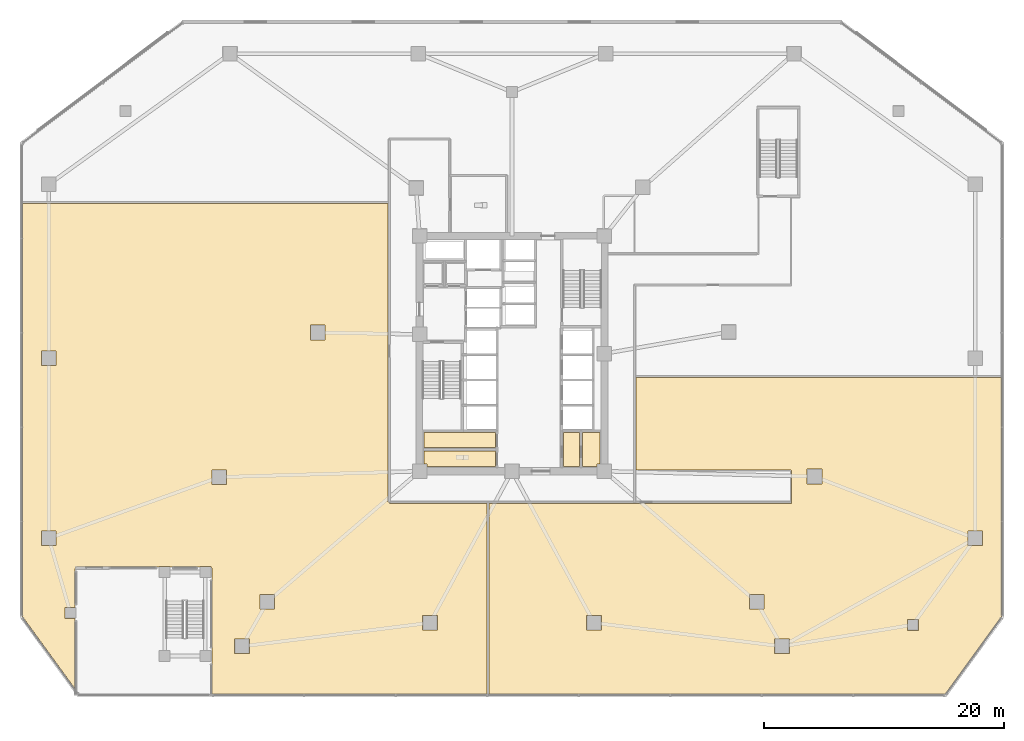
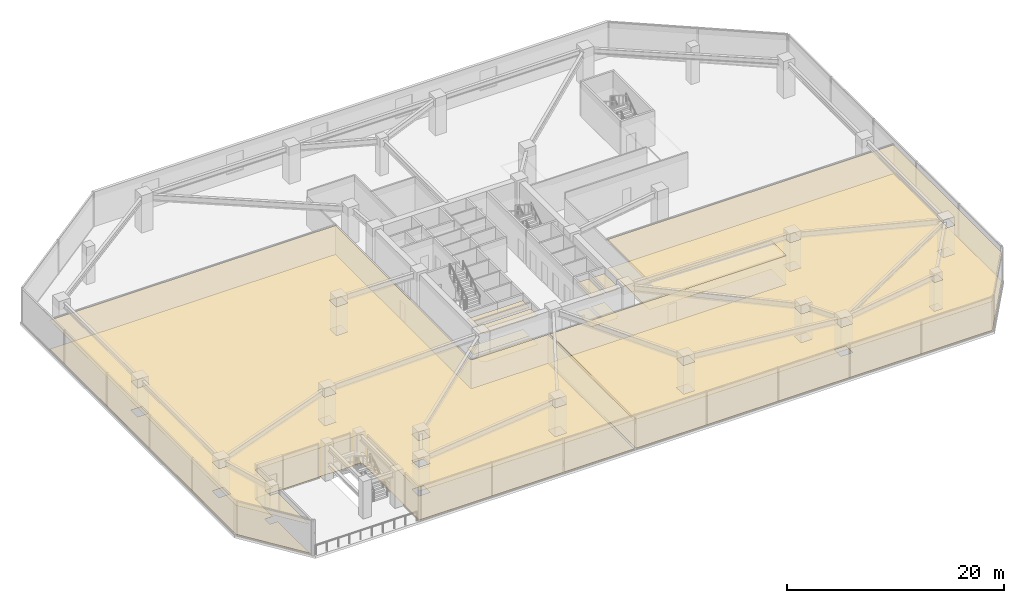
# One storey, part 15 of 21: 12 coverings.
"""IFC4 building model written with IfcOpenShell, lengths in metres."""

from ifc_helpers import new_model, si_unit, direction, frame, origin, place, context, subcontext, project, spatial, polyline, outline, extrude, material, layer, layer_set, type_object, element, save


model = new_model("IFC4")

# Units and contexts
model_context = context("Model", 3, precision=1e-05, world=origin(), true_north=direction((0.0, 1.0)))
body_context = subcontext(model_context, "Body", "Model", "MODEL_VIEW")
ifc_project = project(units=[si_unit("LENGTHUNIT", "METRE"), si_unit("AREAUNIT", "SQUARE_METRE"), si_unit("VOLUMEUNIT", "CUBIC_METRE"), si_unit("PLANEANGLEUNIT", "RADIAN"), si_unit("MASSUNIT", "GRAM", prefix="KILO")], contexts=[model_context])

# Site, building, storey
site_placement = place(None, origin())
site = spatial("IfcSite", under=ifc_project, at=site_placement, CompositionType="ELEMENT")
building_placement = place(site_placement, origin())
building = spatial("IfcBuilding", under=site, at=building_placement, Name="Savorim Split Tower", CompositionType="ELEMENT")
storey_placement = place(building_placement, frame((0.0, 0.0, 5.0)))
storey = spatial("IfcBuildingStorey", under=building, at=storey_placement, Name="L01", CompositionType="ELEMENT", Elevation=5.0)

# Coverings
ifc_material_1 = material(Name="Mineral Fibre Acoustic Ceiling")
ifc_layer_1 = layer(ifc_material_1, 0.02490234375)
ifc_layer_set_1 = layer_set([ifc_layer_1], Name="COV-CEIL-25")
covering_type_1 = type_object("IfcCoveringType", Name="COV-CEIL-25", PredefinedType="CEILING", material=ifc_layer_set_1)
covering_1_placement = place(storey_placement, frame((0.0, 0.0, 3.239990234375)))
element("IfcCovering", 1, at=covering_1_placement, inside=storey, type_object=covering_type_1, Name="L01 Cleaning Store Acoustic Ceiling", PredefinedType="CEILING", context=body_context, shape_type="SweptSolid", body=[
    extrude(outline(polyline([(-7.320068359375, -6.179931640625), (-7.320068359375, -7.43994140625), (-1.3798828125, -7.43994140625), (-1.3798828125, -6.179931640625), (-7.320068359375, -6.179931640625)])), origin(), (0.0, 0.0, 1.0), 0.02490234375),
])
covering_2_placement = place(storey_placement, frame((0.0, 0.0, 3.239990234375)))
element("IfcCovering", 2, at=covering_2_placement, inside=storey, type_object=covering_type_1, Name="L01 Public WC Acoustic Ceiling", PredefinedType="CEILING", context=body_context, shape_type="SweptSolid", body=[
    extrude(outline(polyline([(-1.3798828125, -7.719970703125), (-7.320068359375, -7.719970703125), (-7.320068359375, -8.7900390625), (-7.090087890625, -8.7900390625), (-7.090087890625, -9.02001953125), (-1.3798828125, -9.02001953125), (-1.3798828125, -7.719970703125)])), origin(), (0.0, 0.0, 1.0), 0.02490234375),
])
covering_3_placement = place(storey_placement, frame((0.0, 0.0, 3.239990234375)))
element("IfcCovering", 3, at=covering_3_placement, inside=storey, type_object=covering_type_1, Name="L01 Vending Pantry Acoustic Ceiling", PredefinedType="CEILING", context=body_context, shape_type="SweptSolid", body=[
    extrude(outline(polyline([(4.280029296875, -6.179931640625), (4.280029296875, -9.02001953125), (5.6201171875, -9.02001953125), (5.6201171875, -6.179931640625), (4.280029296875, -6.179931640625)])), origin(), (0.0, 0.0, 1.0), 0.02490234375),
])
covering_4_placement = place(storey_placement, frame((0.0, 0.0, 3.239990234375)))
element("IfcCovering", 4, at=covering_4_placement, inside=storey, type_object=covering_type_1, Name="L01 Recycling Chute Room Acoustic Ceiling", PredefinedType="CEILING", context=body_context, shape_type="SweptSolid", body=[
    extrude(outline(polyline([(5.8798828125, -6.179931640625), (5.8798828125, -9.02001953125), (7.090087890625, -9.02001953125), (7.090087890625, -8.7900390625), (7.320068359375, -8.7900390625), (7.320068359375, -6.179931640625), (5.8798828125, -6.179931640625)])), origin(), (0.0, 0.0, 1.0), 0.02490234375),
])
covering_5_placement = place(storey_placement, frame((0.0, 0.0, 3.239990234375)))
element("IfcCovering", 5, at=covering_5_placement, inside=storey, type_object=covering_type_1, Name="L01 Co-Working Commons Acoustic Ceiling", PredefinedType="CEILING", context=body_context, shape_type="SweptSolid", body=[
    extrude(outline(polyline([(-10.31494140625, 12.905029296875), (-40.780029296875, 12.905029296875), (-40.780029296875, -21.528564453125), (-36.419921875, -27.5234375), (-36.419921875, -21.659912109375), (-37.260009765625, -21.659912109375), (-37.260009765625, -20.739990234375), (-36.419921875, -20.739990234375), (-36.419921875, -17.60009765625), (-36.4189453125, -17.578369140625), (-36.415771484375, -17.55712890625), (-36.410400390625, -17.5361328125), (-36.4033203125, -17.515869140625), (-36.39404296875, -17.496337890625), (-36.3828125, -17.477783203125), (-36.3701171875, -17.46044921875), (-36.355712890625, -17.4443359375), (-36.339599609375, -17.429931640625), (-36.322265625, -17.4169921875), (-36.3037109375, -17.406005859375), (-36.2841796875, -17.396728515625), (-36.263916015625, -17.389404296875), (-36.242919921875, -17.38427734375), (-36.2216796875, -17.381103515625), (-36.199951171875, -17.3798828125), (-29.409912109375, -17.3798828125), (-29.409912109375, -17.340087890625), (-28.489990234375, -17.340087890625), (-28.489990234375, -17.3798828125), (-26.010009765625, -17.3798828125), (-26.010009765625, -17.340087890625), (-25.090087890625, -17.340087890625), (-25.090087890625, -17.40966796875), (-25.077880859375, -17.4169921875), (-25.060302734375, -17.429931640625), (-25.04443359375, -17.4443359375), (-25.02978515625, -17.46044921875), (-25.01708984375, -17.477783203125), (-25.006103515625, -17.496337890625), (-24.99658203125, -17.515869140625), (-24.989501953125, -17.5361328125), (-24.984130859375, -17.55712890625), (-24.981201171875, -17.578369140625), (-24.97998046875, -17.60009765625), (-24.97998046875, -27.97998046875), (-2.094970703125, -27.97998046875), (-2.094970703125, -12.074951171875), (-10.219970703125, -12.074951171875), (-10.219970703125, -11.97998046875), (-10.31494140625, -11.97998046875), (-10.31494140625, 12.905029296875)]), holes=[polyline([(-37.989990234375, 0.610107421875), (-39.2099609375, 0.610107421875), (-39.2099609375, -0.610107421875), (-37.989990234375, -0.610107421875), (-37.989990234375, 0.610107421875)]), polyline([(-39.2099609375, -14.389892578125), (-39.2099609375, -15.610107421875), (-37.989990234375, -15.610107421875), (-37.989990234375, -14.389892578125), (-39.2099609375, -14.389892578125)]), polyline([(-23.110107421875, -24.610107421875), (-21.889892578125, -24.610107421875), (-21.889892578125, -23.389892578125), (-23.110107421875, -23.389892578125), (-23.110107421875, -24.610107421875)]), polyline([(-19.774169921875, -20.90185546875), (-19.774169921875, -19.681884765625), (-20.994140625, -19.681884765625), (-20.994140625, -20.90185546875), (-19.774169921875, -20.90185546875)]), polyline([(-6.2216796875, -21.421875), (-7.44189453125, -21.421875), (-7.44189453125, -22.641845703125), (-6.2216796875, -22.641845703125), (-6.2216796875, -21.421875)]), polyline([(-15.57861328125, 1.543701171875), (-15.57861328125, 2.763671875), (-16.798583984375, 2.763671875), (-16.798583984375, 1.543701171875), (-15.57861328125, 1.543701171875)]), polyline([(-23.7744140625, -9.2841796875), (-24.994384765625, -9.2841796875), (-24.994384765625, -10.50439453125), (-23.7744140625, -10.50439453125), (-23.7744140625, -9.2841796875)])]), origin(), (0.0, 0.0, 1.0), 0.02490234375),
])
covering_6_placement = place(storey_placement, frame((0.0, 0.0, 3.239990234375)))
element("IfcCovering", 6, at=covering_6_placement, inside=storey, type_object=covering_type_1, Name="L01 Maker Workshop Acoustic Ceiling", PredefinedType="CEILING", context=body_context, shape_type="SweptSolid", body=[
    extrude(outline(polyline([(-1.905029296875, -27.97998046875), (36.087890625, -27.97998046875), (40.780029296875, -21.528564453125), (40.780029296875, -1.594970703125), (10.31494140625, -1.594970703125), (10.31494140625, -9.300048828125), (23.199951171875, -9.300048828125), (23.209716796875, -9.300537109375), (23.219482421875, -9.302001953125), (23.22900390625, -9.30419921875), (23.23828125, -9.3076171875), (23.2470703125, -9.311767578125), (23.255615234375, -9.31689453125), (23.263427734375, -9.32275390625), (23.270751953125, -9.329345703125), (23.27734375, -9.336669921875), (23.283203125, -9.344482421875), (23.2880859375, -9.352783203125), (23.29248046875, -9.36181640625), (23.295654296875, -9.37109375), (23.298095703125, -9.380615234375), (23.299560546875, -9.39013671875), (23.300048828125, -9.39990234375), (23.300048828125, -11.89990234375), (23.299560546875, -11.909912109375), (23.298095703125, -11.91943359375), (23.295654296875, -11.928955078125), (23.29248046875, -11.938232421875), (23.2880859375, -11.947021484375), (23.283203125, -11.95556640625), (23.280029296875, -11.959716796875), (23.280029296875, -12.074951171875), (-1.905029296875, -12.074951171875), (-1.905029296875, -27.97998046875)]), holes=[polyline([(37.989990234375, -14.389892578125), (37.989990234375, -15.610107421875), (39.2099609375, -15.610107421875), (39.2099609375, -14.389892578125), (37.989990234375, -14.389892578125)]), polyline([(21.889892578125, -24.610107421875), (23.110107421875, -24.610107421875), (23.110107421875, -23.389892578125), (21.889892578125, -23.389892578125), (21.889892578125, -24.610107421875)]), polyline([(6.2216796875, -21.421875), (6.2216796875, -22.641845703125), (7.44189453125, -22.641845703125), (7.44189453125, -21.421875), (6.2216796875, -21.421875)]), polyline([(19.774169921875, -20.90185546875), (20.994140625, -20.90185546875), (20.994140625, -19.681884765625), (19.774169921875, -19.681884765625), (19.774169921875, -20.90185546875)]), polyline([(25.823486328125, -10.45556640625), (25.823486328125, -9.235595703125), (24.603515625, -9.235595703125), (24.603515625, -10.45556640625), (25.823486328125, -10.45556640625)]), polyline([(32.93994140625, -21.739990234375), (32.93994140625, -22.659912109375), (33.860107421875, -22.659912109375), (33.860107421875, -21.739990234375), (32.93994140625, -21.739990234375)])]), origin(), (0.0, 0.0, 1.0), 0.02490234375),
])
ifc_material_2 = material(Name="Porcelain Stoneware Flooring", Category="masonry")
ifc_layer_2 = layer(ifc_material_2, 0.02001953125)
ifc_layer_set_2 = layer_set([ifc_layer_2], Name="COV-FLOR-20")
covering_type_2 = type_object("IfcCoveringType", Name="COV-FLOR-20", PredefinedType="FLOORING", material=ifc_layer_set_2)
covering_7_placement = place(storey_placement, origin())
element("IfcCovering", 7, at=covering_7_placement, inside=storey, type_object=covering_type_2, Name="L01 Cleaning Store Porcelain Flooring", PredefinedType="FLOORING", context=body_context, shape_type="SweptSolid", body=[
    extrude(outline(polyline([(-7.320068359375, -6.179931640625), (-7.320068359375, -7.43994140625), (-1.3798828125, -7.43994140625), (-1.3798828125, -6.179931640625), (-7.320068359375, -6.179931640625)])), origin(), (0.0, 0.0, 1.0), 0.02001953125),
])
covering_8_placement = place(storey_placement, origin())
element("IfcCovering", 8, at=covering_8_placement, inside=storey, type_object=covering_type_2, Name="L01 Public WC Porcelain Flooring", PredefinedType="FLOORING", context=body_context, shape_type="SweptSolid", body=[
    extrude(outline(polyline([(-1.3798828125, -7.719970703125), (-7.320068359375, -7.719970703125), (-7.320068359375, -8.7900390625), (-7.090087890625, -8.7900390625), (-7.090087890625, -9.02001953125), (-1.3798828125, -9.02001953125), (-1.3798828125, -7.719970703125)])), origin(), (0.0, 0.0, 1.0), 0.02001953125),
])
covering_9_placement = place(storey_placement, origin())
element("IfcCovering", 9, at=covering_9_placement, inside=storey, type_object=covering_type_2, Name="L01 Vending Pantry Porcelain Flooring", PredefinedType="FLOORING", context=body_context, shape_type="SweptSolid", body=[
    extrude(outline(polyline([(4.280029296875, -6.179931640625), (4.280029296875, -9.02001953125), (5.6201171875, -9.02001953125), (5.6201171875, -6.179931640625), (4.280029296875, -6.179931640625)])), origin(), (0.0, 0.0, 1.0), 0.02001953125),
])
covering_10_placement = place(storey_placement, origin())
element("IfcCovering", 10, at=covering_10_placement, inside=storey, type_object=covering_type_2, Name="L01 Recycling Chute Room Porcelain Flooring", PredefinedType="FLOORING", context=body_context, shape_type="SweptSolid", body=[
    extrude(outline(polyline([(5.8798828125, -6.179931640625), (5.8798828125, -9.02001953125), (7.090087890625, -9.02001953125), (7.090087890625, -8.7900390625), (7.320068359375, -8.7900390625), (7.320068359375, -6.179931640625), (5.8798828125, -6.179931640625)])), origin(), (0.0, 0.0, 1.0), 0.02001953125),
])
covering_11_placement = place(storey_placement, origin())
element("IfcCovering", 11, at=covering_11_placement, inside=storey, type_object=covering_type_2, Name="L01 Co-Working Commons Porcelain Flooring", PredefinedType="FLOORING", context=body_context, shape_type="SweptSolid", body=[
    extrude(outline(polyline([(-10.31494140625, 12.905029296875), (-40.780029296875, 12.905029296875), (-40.780029296875, -21.528564453125), (-36.419921875, -27.5234375), (-36.419921875, -21.659912109375), (-37.260009765625, -21.659912109375), (-37.260009765625, -20.739990234375), (-36.419921875, -20.739990234375), (-36.419921875, -17.60009765625), (-36.4189453125, -17.578369140625), (-36.415771484375, -17.55712890625), (-36.410400390625, -17.5361328125), (-36.4033203125, -17.515869140625), (-36.39404296875, -17.496337890625), (-36.3828125, -17.477783203125), (-36.3701171875, -17.46044921875), (-36.355712890625, -17.4443359375), (-36.339599609375, -17.429931640625), (-36.322265625, -17.4169921875), (-36.3037109375, -17.406005859375), (-36.2841796875, -17.396728515625), (-36.263916015625, -17.389404296875), (-36.242919921875, -17.38427734375), (-36.2216796875, -17.381103515625), (-36.199951171875, -17.3798828125), (-29.409912109375, -17.3798828125), (-29.409912109375, -17.340087890625), (-28.489990234375, -17.340087890625), (-28.489990234375, -17.3798828125), (-26.010009765625, -17.3798828125), (-26.010009765625, -17.340087890625), (-25.090087890625, -17.340087890625), (-25.090087890625, -17.40966796875), (-25.077880859375, -17.4169921875), (-25.060302734375, -17.429931640625), (-25.04443359375, -17.4443359375), (-25.02978515625, -17.46044921875), (-25.01708984375, -17.477783203125), (-25.006103515625, -17.496337890625), (-24.99658203125, -17.515869140625), (-24.989501953125, -17.5361328125), (-24.984130859375, -17.55712890625), (-24.981201171875, -17.578369140625), (-24.97998046875, -17.60009765625), (-24.97998046875, -27.97998046875), (-2.094970703125, -27.97998046875), (-2.094970703125, -12.074951171875), (-10.219970703125, -12.074951171875), (-10.219970703125, -11.97998046875), (-10.31494140625, -11.97998046875), (-10.31494140625, 12.905029296875)]), holes=[polyline([(-37.989990234375, 0.610107421875), (-39.2099609375, 0.610107421875), (-39.2099609375, -0.610107421875), (-37.989990234375, -0.610107421875), (-37.989990234375, 0.610107421875)]), polyline([(-39.2099609375, -14.389892578125), (-39.2099609375, -15.610107421875), (-37.989990234375, -15.610107421875), (-37.989990234375, -14.389892578125), (-39.2099609375, -14.389892578125)]), polyline([(-23.110107421875, -24.610107421875), (-21.889892578125, -24.610107421875), (-21.889892578125, -23.389892578125), (-23.110107421875, -23.389892578125), (-23.110107421875, -24.610107421875)]), polyline([(-19.774169921875, -20.90185546875), (-19.774169921875, -19.681884765625), (-20.994140625, -19.681884765625), (-20.994140625, -20.90185546875), (-19.774169921875, -20.90185546875)]), polyline([(-6.2216796875, -21.421875), (-7.44189453125, -21.421875), (-7.44189453125, -22.641845703125), (-6.2216796875, -22.641845703125), (-6.2216796875, -21.421875)]), polyline([(-15.57861328125, 1.543701171875), (-15.57861328125, 2.763671875), (-16.798583984375, 2.763671875), (-16.798583984375, 1.543701171875), (-15.57861328125, 1.543701171875)]), polyline([(-23.7744140625, -9.2841796875), (-24.994384765625, -9.2841796875), (-24.994384765625, -10.50439453125), (-23.7744140625, -10.50439453125), (-23.7744140625, -9.2841796875)])]), origin(), (0.0, 0.0, 1.0), 0.02001953125),
])
covering_12_placement = place(storey_placement, origin())
element("IfcCovering", 12, at=covering_12_placement, inside=storey, type_object=covering_type_2, Name="L01 Maker Workshop Porcelain Flooring", PredefinedType="FLOORING", context=body_context, shape_type="SweptSolid", body=[
    extrude(outline(polyline([(-1.905029296875, -27.97998046875), (36.087890625, -27.97998046875), (40.780029296875, -21.528564453125), (40.780029296875, -1.594970703125), (10.31494140625, -1.594970703125), (10.31494140625, -9.300048828125), (23.199951171875, -9.300048828125), (23.209716796875, -9.300537109375), (23.219482421875, -9.302001953125), (23.22900390625, -9.30419921875), (23.23828125, -9.3076171875), (23.2470703125, -9.311767578125), (23.255615234375, -9.31689453125), (23.263427734375, -9.32275390625), (23.270751953125, -9.329345703125), (23.27734375, -9.336669921875), (23.283203125, -9.344482421875), (23.2880859375, -9.352783203125), (23.29248046875, -9.36181640625), (23.295654296875, -9.37109375), (23.298095703125, -9.380615234375), (23.299560546875, -9.39013671875), (23.300048828125, -9.39990234375), (23.300048828125, -11.89990234375), (23.299560546875, -11.909912109375), (23.298095703125, -11.91943359375), (23.295654296875, -11.928955078125), (23.29248046875, -11.938232421875), (23.2880859375, -11.947021484375), (23.283203125, -11.95556640625), (23.280029296875, -11.959716796875), (23.280029296875, -12.074951171875), (-1.905029296875, -12.074951171875), (-1.905029296875, -27.97998046875)]), holes=[polyline([(37.989990234375, -14.389892578125), (37.989990234375, -15.610107421875), (39.2099609375, -15.610107421875), (39.2099609375, -14.389892578125), (37.989990234375, -14.389892578125)]), polyline([(21.889892578125, -24.610107421875), (23.110107421875, -24.610107421875), (23.110107421875, -23.389892578125), (21.889892578125, -23.389892578125), (21.889892578125, -24.610107421875)]), polyline([(6.2216796875, -21.421875), (6.2216796875, -22.641845703125), (7.44189453125, -22.641845703125), (7.44189453125, -21.421875), (6.2216796875, -21.421875)]), polyline([(19.774169921875, -20.90185546875), (20.994140625, -20.90185546875), (20.994140625, -19.681884765625), (19.774169921875, -19.681884765625), (19.774169921875, -20.90185546875)]), polyline([(25.823486328125, -10.45556640625), (25.823486328125, -9.235595703125), (24.603515625, -9.235595703125), (24.603515625, -10.45556640625), (25.823486328125, -10.45556640625)]), polyline([(32.93994140625, -21.739990234375), (32.93994140625, -22.659912109375), (33.860107421875, -22.659912109375), (33.860107421875, -21.739990234375), (32.93994140625, -21.739990234375)])]), origin(), (0.0, 0.0, 1.0), 0.02001953125),
])

save(model, "model.ifc")
